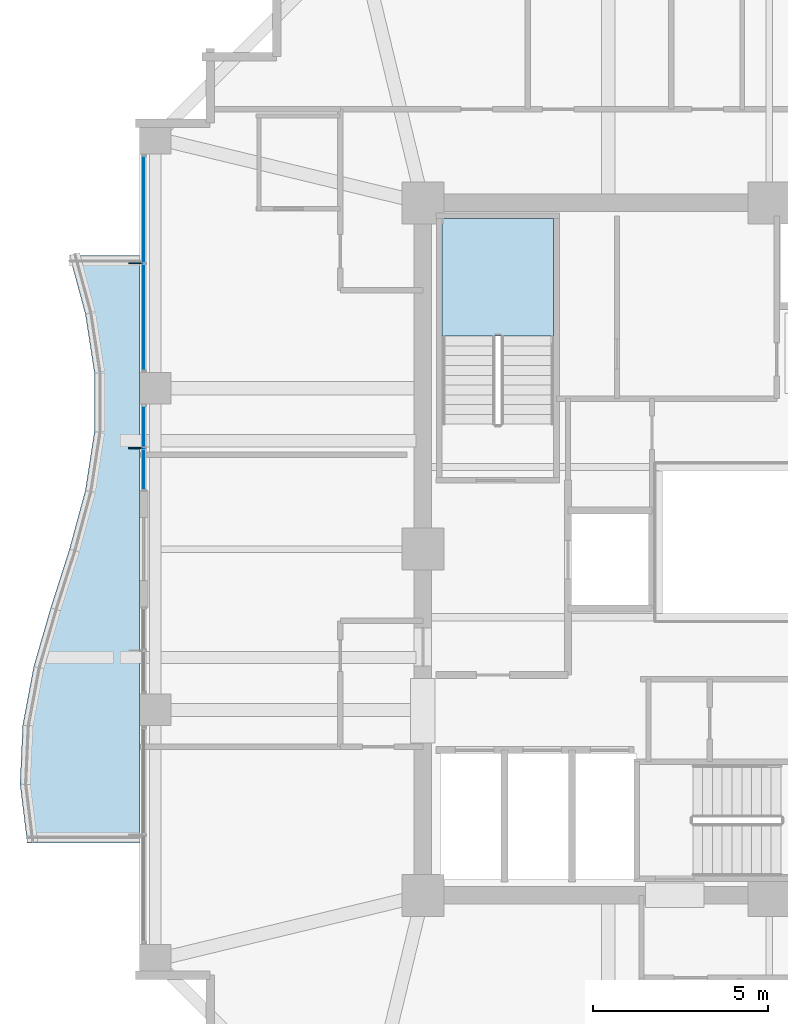
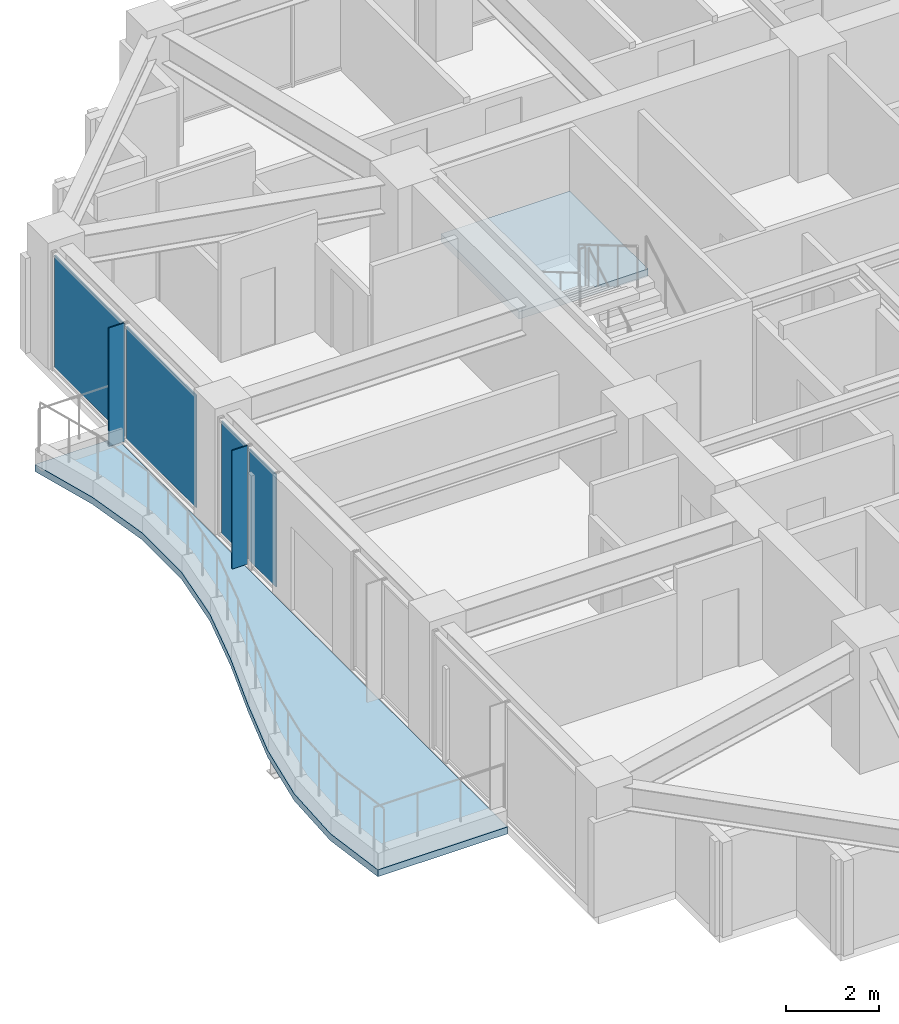
# One storey, part 24 of 33: 6 plates, 2 slabs, 3 elements without a shape of their own.
"""IFC4 building model written with IfcOpenShell, lengths in metres."""

from ifc_helpers import new_model, si_unit, direction, frame, origin, origin_2d, place, context, subcontext, project, spatial, polyline, rectangle, outline, extrude, material, layer, layer_set, type_object, element, aggregate, save


model = new_model("IFC4")

# Units and contexts
model_context = context("Model", 3, precision=1e-05, world=origin(), true_north=direction((0.0, 1.0)))
body_context = subcontext(model_context, "Body", "Model", "MODEL_VIEW")
ifc_project = project(units=[si_unit("LENGTHUNIT", "METRE"), si_unit("AREAUNIT", "SQUARE_METRE"), si_unit("VOLUMEUNIT", "CUBIC_METRE"), si_unit("PLANEANGLEUNIT", "RADIAN"), si_unit("MASSUNIT", "GRAM", prefix="KILO")], contexts=[model_context])

# Site, building, storey
site_placement = place(None, origin())
site = spatial("IfcSite", under=ifc_project, at=site_placement, CompositionType="ELEMENT")
building_placement = place(site_placement, origin())
building = spatial("IfcBuilding", under=site, at=building_placement, Name="Kolvaren Belvedere", CompositionType="ELEMENT")
storey_placement = place(building_placement, frame((0.0, 0.0, 128.300048828125)))
storey = spatial("IfcBuildingStorey", under=building, at=storey_placement, Name="L37", CompositionType="ELEMENT", Elevation=128.300048828125)

# Curtain wall, plates
ifc_material_1 = material(Name="Anodised pale-metal aluminium AA 6063-T6", Category="aluminium")
curtain_wall_type = type_object("IfcCurtainWallType", Name="CW-Z3-WAIST", PredefinedType="NOTDEFINED", material=ifc_material_1)
curtain_wall_1_placement = place(storey_placement, origin())
curtain_wall_1 = element("IfcCurtainWall", 1, at=curtain_wall_1_placement, inside=storey, type_object=curtain_wall_type, Name="L37 Unitised Curtain Wall FCW-L37-W2-B1", PredefinedType="NOTDEFINED")
ifc_material_2 = material(Name="Low-iron triple insulated glass", Category="glass")
ifc_layer_1 = layer(ifc_material_2, 0.028076171875)
ifc_layer_set_1 = layer_set([ifc_layer_1], Name="Low-iron triple insulated glass")
plate_type_1 = type_object("IfcPlateType", Name="CW-PNL-VIS28", PredefinedType="CURTAIN_PANEL", material=ifc_layer_set_1)
plate_1_placement = place(storey_placement, frame((-17.8798828125, 2.284423828125, 0.080078125), z_axis=(0.0, 0.0, 1.0), x_axis=(0.0, 1.0, 0.0)))
plate_1 = element("IfcPlate", 2, at=plate_1_placement, type_object=plate_type_1, Name="FCW-L37-W2-B1 Vision Glazing Panel 1", PredefinedType="CURTAIN_PANEL", context=body_context, shape_type="SweptSolid", body=[
    extrude(rectangle(XDim=1.12890625, YDim=0.028076171875, at=origin_2d()), origin(), (0.0, 0.0, 1.0), 2.93994140625),
])
plate_2_placement = place(storey_placement, frame((-17.8798828125, 3.4931640625, 0.080078125), z_axis=(0.0, 0.0, 1.0), x_axis=(0.0, 1.0, 0.0)))
plate_2 = element("IfcPlate", 3, at=plate_2_placement, type_object=plate_type_1, Name="FCW-L37-W2-B1 Vision Glazing Panel 2", PredefinedType="CURTAIN_PANEL", context=body_context, shape_type="SweptSolid", body=[
    extrude(rectangle(XDim=1.12890625, YDim=0.028076171875, at=origin_2d()), origin(), (0.0, 0.0, 1.0), 2.93994140625),
])
aggregate(curtain_wall_1, [plate_1, plate_2])

curtain_wall_2_placement = place(storey_placement, origin())
curtain_wall_2 = element("IfcCurtainWall", 4, at=curtain_wall_2_placement, inside=storey, type_object=curtain_wall_type, Name="L37 Unitised Curtain Wall FCW-L37-W2-B2", PredefinedType="NOTDEFINED")
plate_3_placement = place(storey_placement, frame((-17.8798828125, 6.638671875, 0.080078125), z_axis=(0.0, 0.0, 1.0), x_axis=(0.0, 1.0, 0.0)))
plate_3 = element("IfcPlate", 5, at=plate_3_placement, type_object=plate_type_1, Name="FCW-L37-W2-B2 Vision Glazing Panel 1", PredefinedType="CURTAIN_PANEL", context=body_context, shape_type="SweptSolid", body=[
    extrude(rectangle(XDim=2.992431640625, YDim=0.028076171875, at=origin_2d()), origin(), (0.0, 0.0, 1.0), 2.93994140625),
])
plate_4_placement = place(storey_placement, frame((-17.8798828125, 9.711181640625, 0.080078125), z_axis=(0.0, 0.0, 1.0), x_axis=(0.0, 1.0, 0.0)))
plate_4 = element("IfcPlate", 6, at=plate_4_placement, type_object=plate_type_1, Name="FCW-L37-W2-B2 Vision Glazing Panel 2", PredefinedType="CURTAIN_PANEL", context=body_context, shape_type="SweptSolid", body=[
    extrude(rectangle(XDim=2.992431640625, YDim=0.028076171875, at=origin_2d()), origin(), (0.0, 0.0, 1.0), 2.93994140625),
])
aggregate(curtain_wall_2, [plate_3, plate_4])

# Plates
ifc_material_3 = material(Name="Anodised pale-metal aluminium AA 6063-T6", Category="aluminium")
ifc_layer_2 = layer(ifc_material_3, 0.033935546875)
ifc_layer_set_2 = layer_set([ifc_layer_2], Name="Anodised pale-metal aluminium AA 6063-T6")
plate_type_2 = type_object("IfcPlateType", Name="FIN-VERT-380", PredefinedType="USERDEFINED", material=ifc_layer_set_2)
for number, where, z_axis, x_axis, name in (
    (7, (-18.1201171875, 2.888671875, 0.0), (0.0, 0.0, 1.0), (1.0, 0.0, 0.0), "L37 Pale-Metal Vertical Shading Fin FCW-L37-W2-B1-1"),
    (8, (-18.1201171875, 8.175048828125, 0.0), (0.0, 0.0, 1.0), (1.0, 0.0, 0.0), "L37 Pale-Metal Vertical Shading Fin FCW-L37-W2-B2-1"),
):
    element("IfcPlate", number, at=place(storey_placement, frame(where, z_axis=z_axis, x_axis=x_axis)), inside=storey, type_object=plate_type_2, Name=name, ObjectType="VERTICAL FIN", PredefinedType="USERDEFINED", context=body_context, shape_type="SweptSolid", body=[
        extrude(rectangle(XDim=0.3798828125, YDim=0.033935546875, at=origin_2d()), origin(), (0.0, 0.0, 1.0), 3.10009765625),
    ])

# Slab
ifc_material_4 = material(Name="Concrete C50/60", Category="concrete")
ifc_layer_3 = layer(ifc_material_4, 0.179931640625)
ifc_layer_set_3 = layer_set([ifc_layer_3], Name="Concrete C50/60")
slab_type_1 = type_object("IfcSlabType", Name="SL-BAL-180", PredefinedType="FLOOR", material=ifc_layer_set_3)
slab_1_placement = place(storey_placement, frame((0.0, 0.0, -0.199951171875)))
element("IfcSlab", 9, at=slab_1_placement, inside=storey, type_object=slab_type_1, Name="L37 Planted Balcony BAL-W", PredefinedType="FLOOR", context=body_context, shape_type="SweptSolid", body=[
    extrude(outline(polyline([(-20.00634765625, 8.39990234375), (-19.552734375, 6.719970703125), (-19.2939453125, 5.0400390625), (-19.2939453125, 3.360107421875), (-19.552734375, 1.679931640625), (-20.00634765625, 0.0), (-20.54248046875, -1.679931640625), (-21.0283203125, -3.360107421875), (-21.34423828125, -5.0400390625), (-21.419921875, -6.719970703125), (-21.213623046875, -8.39990234375), (-18.0, -8.39990234375), (-18.0, -6.719970703125), (-18.0, -5.0400390625), (-18.0, -3.360107421875), (-18.0, -1.679931640625), (-18.0, 0.0), (-18.0, 1.679931640625), (-18.0, 3.360107421875), (-18.0, 5.0400390625), (-18.0, 6.719970703125), (-18.0, 8.39990234375), (-20.00634765625, 8.39990234375)])), origin(), (0.0, 0.0, 1.0), 0.179931640625),
])

# Stair, slab
ifc_material_5 = material(Name="Concrete C50/60", Category="concrete")
stair_type = type_object("IfcStairType", Name="ST-CORE-1520", PredefinedType="HALF_TURN_STAIR", material=ifc_material_5)
stair_placement = place(storey_placement, origin())
stair = element("IfcStair", 10, at=stair_placement, inside=storey, type_object=stair_type, Name="L37 Protected Exit Stair ST-1", PredefinedType="HALF_TURN_STAIR")
ifc_material_6 = material(Name="Concrete C50/60", Category="concrete")
ifc_layer_4 = layer(ifc_material_6, 0.260009765625)
ifc_layer_set_4 = layer_set([ifc_layer_4], Name="Concrete C50/60")
slab_type_2 = type_object("IfcSlabType", Name="SL-LAND-260", PredefinedType="LANDING", material=ifc_layer_set_4)
slab_2_placement = place(storey_placement, frame((0.0, 0.0, 1.449951171875)))
slab_2 = element("IfcSlab", 11, at=slab_2_placement, type_object=slab_type_2, Name="ST-1 landing 1", PredefinedType="LANDING", context=body_context, shape_type="SweptSolid", body=[
    extrude(outline(polyline([(-6.159912109375, 6.090087890625), (-6.159912109375, 9.449951171875), (-9.35009765625, 9.449951171875), (-9.35009765625, 6.090087890625), (-6.159912109375, 6.090087890625)])), origin(), (0.0, 0.0, 1.0), 0.199951171875),
])
aggregate(stair, [slab_2])

save(model, "model.ifc")
